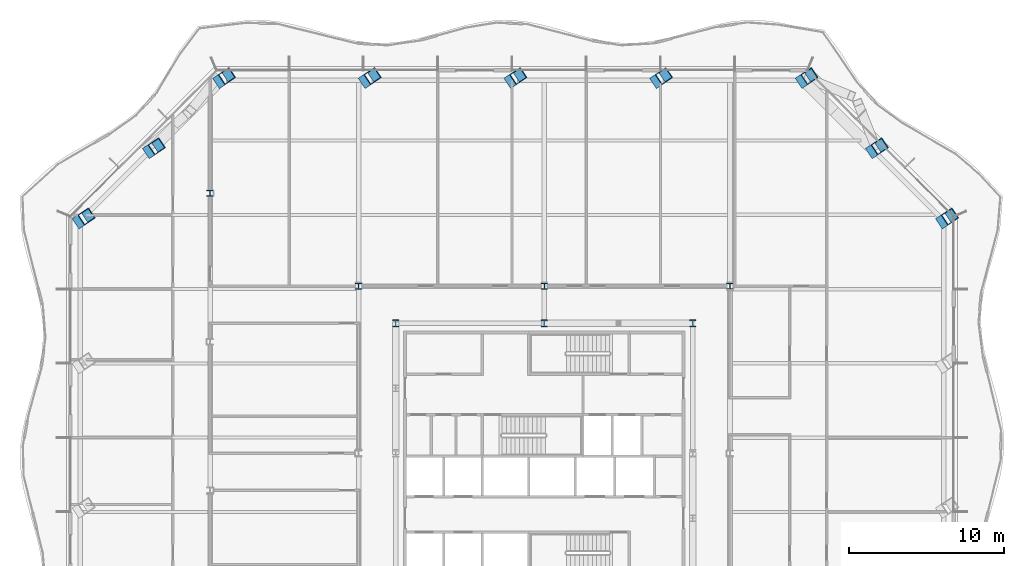
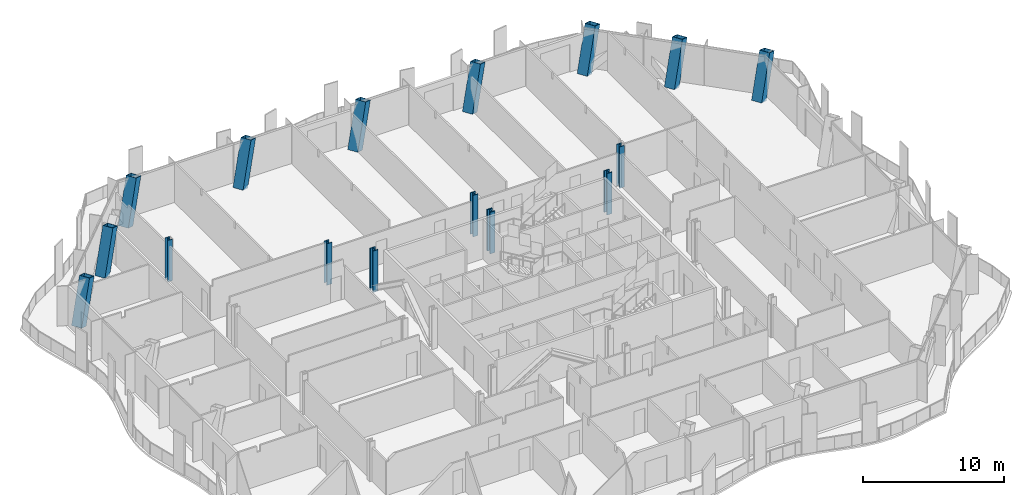
# One storey, part 2 of 22: 16 columns.
"""IFC4 building model written with IfcOpenShell, lengths in metres."""

from ifc_helpers import new_model, si_unit, direction, frame, origin, origin_2d, place, context, subcontext, project, spatial, hollow_rectangle, i_section, extrude, clip, halfspace, material, material_profile, profile_set, type_object, element, save


model = new_model("IFC4")

# Units and contexts
model_context = context("Model", 3, precision=1e-05, world=origin(), true_north=direction((0.0, 1.0)))
body_context = subcontext(model_context, "Body", "Model", "MODEL_VIEW")
ifc_project = project(units=[si_unit("LENGTHUNIT", "METRE"), si_unit("AREAUNIT", "SQUARE_METRE"), si_unit("VOLUMEUNIT", "CUBIC_METRE"), si_unit("PLANEANGLEUNIT", "RADIAN"), si_unit("MASSUNIT", "GRAM", prefix="KILO")], contexts=[model_context])

# Site, building, storey
site_placement = place(None, origin())
site = spatial("IfcSite", under=ifc_project, at=site_placement, CompositionType="ELEMENT")
building_placement = place(site_placement, origin())
building = spatial("IfcBuilding", under=site, at=building_placement, Name="Cairn Pilgrim Tower", CompositionType="ELEMENT")
storey_placement = place(building_placement, frame((0.0, 0.0, 105.0)))
storey = spatial("IfcBuildingStorey", under=building, at=storey_placement, Name="L25", CompositionType="ELEMENT", Elevation=105.0)

# Columns
ifc_material_1 = material(Name="Structural steel S460M", Category="steel")
ifc_material_profile_1 = material_profile(ifc_material_1, hollow_rectangle(XDim=0.800048828125, YDim=0.800048828125, WallThickness=0.050048828125, at=origin_2d()), Name="BOX 800x800x50")
ifc_profile_set_1 = profile_set([ifc_material_profile_1], Name="Structural steel S460M")
column_type_1 = type_object("IfcColumnType", Name="BOX 800x800x50", PredefinedType="COLUMN", material=ifc_profile_set_1)
for number, where, z_axis, x_axis, name in (
    (1, (33.012939453125, 17.435791015625, -0.14990234375), (0.281903412306, 0.18797814682, 0.940847852975), (-0.554787109556, 0.83199234556, 0.0), "PC1-NE1"),
    (2, (28.4765625, 21.97216796875, -0.14990234375), (0.281903412306, 0.18797814682, 0.940847852975), (-0.554787109556, 0.83199234556, 0.0), "PC1-NE2"),
    (3, (23.940185546875, 26.508544921875, -0.14990234375), (0.281903412306, 0.18797814682, 0.940847852975), (-0.554787109556, 0.83199234556, 0.0), "PC1-N1"),
    (4, (14.526611328125, 26.508544921875, -0.14990234375), (0.281903412306, 0.18797814682, 0.940847852975), (-0.554787109556, 0.83199234556, 0.0), "PC1-N2"),
    (5, (5.11279296875, 26.508544921875, -0.14990234375), (0.28196214786, 0.18797476524, 0.940830927854), (-0.554700196225, 0.832050294338, 0.0), "PC1-N3"),
    (6, (-4.30078125, 26.508544921875, -0.14990234375), (0.28196214786, 0.18797476524, 0.940830927854), (-0.554700196225, 0.832050294338, 0.0), "PC1-N4"),
    (7, (-13.71435546875, 26.508544921875, -0.14990234375), (0.28196214786, 0.18797476524, 0.940830927854), (-0.554700196225, 0.832050294338, 0.0), "PC1-NW1"),
    (8, (-18.250732421875, 21.97216796875, -0.14990234375), (0.281903412306, 0.18797814682, 0.940847852975), (-0.554787109556, 0.83199234556, 0.0), "PC1-NW2"),
    (9, (-22.787109375, 17.435791015625, -0.14990234375), (0.281903412306, 0.18797814682, 0.940847852975), (-0.554787109556, 0.83199234556, 0.0), "PC1-W1"),
):
    element("IfcColumn", number, at=place(storey_placement, frame(where, z_axis=z_axis, x_axis=x_axis)), inside=storey, type_object=column_type_1, Name=name, PredefinedType="COLUMN", context=body_context, shape_type="Clipping", body=[
        clip(clip(extrude(hollow_rectangle(XDim=0.800048828125, YDim=0.800048828125, WallThickness=0.050048828125, at=origin_2d()), origin(), (0.0, 0.0, 1.0), 3.826171875), halfspace(frame((0.0, 0.0, 0.0244140625), z_axis=(0.0, 0.0, 1.0), x_axis=(1.0, 0.0, 0.0)), True)), halfspace(frame((0.0, 0.0, 3.80224609375), z_axis=(0.0, 0.0, 1.0), x_axis=(1.0, 0.0, 0.0)), False)),
    ])
ifc_material_2 = material(Name="Structural steel S355J2", Category="steel")
ifc_material_profile_2 = material_profile(ifc_material_2, i_section(OverallWidth=0.39892578125, OverallDepth=0.39306640625, WebThickness=0.022705078125, FlangeThickness=0.03662109375, FilletRadius=0.014892578125, at=origin_2d()), Name="HD 400x287")
ifc_profile_set_2 = profile_set([ifc_material_profile_2], Name="Structural steel S355J2")
column_type_2 = type_object("IfcColumnType", Name="HD 400x287", PredefinedType="COLUMN", material=ifc_profile_set_2)
column_placement = place(storey_placement, frame((-14.39990234375, 19.199951171875, -0.14990234375), z_axis=(0.0, 0.0, 1.0), x_axis=(1.0, 0.0, 0.0)))
element("IfcColumn", 10, at=column_placement, inside=storey, type_object=column_type_2, Name="WC-WW+4", PredefinedType="COLUMN", context=body_context, shape_type="SweptSolid", body=[
    extrude(i_section(OverallWidth=0.39892578125, OverallDepth=0.39306640625, WebThickness=0.022705078125, FlangeThickness=0.03662109375, FilletRadius=0.014892578125, at=origin_2d()), origin(), (0.0, 0.0, 1.0), 3.599853515625),
])
ifc_material_profile_3 = material_profile(ifc_material_1, i_section(OverallWidth=0.408935546875, OverallDepth=0.425048828125, WebThickness=0.03271484375, FlangeThickness=0.052490234375, FilletRadius=0.014892578125, at=origin_2d()), Name="HD 400x421")
ifc_profile_set_3 = profile_set([ifc_material_profile_3], Name="Structural steel S460M")
column_type_3 = type_object("IfcColumnType", Name="HD 400x421", PredefinedType="COLUMN", material=ifc_profile_set_3)
for number, where, z_axis, x_axis, name in (
    (11, (-4.800048828125, 13.199951171875, -0.14990234375), (0.0, 0.0, 1.0), (1.0, 0.0, 0.0), "IC-6"),
    (12, (7.199951171875, 13.199951171875, -0.14990234375), (0.0, 0.0, 1.0), (1.0, 0.0, 0.0), "IC-7"),
    (13, (19.199951171875, 13.199951171875, -0.14990234375), (0.0, 0.0, 1.0), (1.0, 0.0, 0.0), "IC-8"),
):
    element("IfcColumn", number, at=place(storey_placement, frame(where, z_axis=z_axis, x_axis=x_axis)), inside=storey, type_object=column_type_3, Name=name, PredefinedType="COLUMN", context=body_context, shape_type="SweptSolid", body=[
        extrude(i_section(OverallWidth=0.408935546875, OverallDepth=0.425048828125, WebThickness=0.03271484375, FlangeThickness=0.052490234375, FilletRadius=0.014892578125, at=origin_2d()), origin(), (0.0, 0.0, 1.0), 3.599853515625),
    ])
ifc_material_profile_4 = material_profile(ifc_material_1, i_section(OverallWidth=0.424072265625, OverallDepth=0.47412109375, WebThickness=0.047607421875, FlangeThickness=0.0771484375, FilletRadius=0.014892578125, at=origin_2d()), Name="HD 400x634")
ifc_profile_set_4 = profile_set([ifc_material_profile_4], Name="Structural steel S460M")
column_type_4 = type_object("IfcColumnType", Name="HD 400x634", PredefinedType="COLUMN", material=ifc_profile_set_4)
for number, where, z_axis, x_axis, name in (
    (14, (-2.39990234375, 10.800048828125, -0.14990234375), (0.0, 0.0, 1.0), (1.0, 0.0, 0.0), "KC-6"),
    (15, (7.199951171875, 10.800048828125, -0.14990234375), (0.0, 0.0, 1.0), (1.0, 0.0, 0.0), "KC-7"),
    (16, (16.800048828125, 10.800048828125, -0.14990234375), (0.0, 0.0, 1.0), (1.0, 0.0, 0.0), "KC-8"),
):
    element("IfcColumn", number, at=place(storey_placement, frame(where, z_axis=z_axis, x_axis=x_axis)), inside=storey, type_object=column_type_4, Name=name, PredefinedType="COLUMN", context=body_context, shape_type="SweptSolid", body=[
        extrude(i_section(OverallWidth=0.424072265625, OverallDepth=0.47412109375, WebThickness=0.047607421875, FlangeThickness=0.0771484375, FilletRadius=0.014892578125, at=origin_2d()), origin(), (0.0, 0.0, 1.0), 3.599853515625),
    ])

save(model, "model.ifc")
